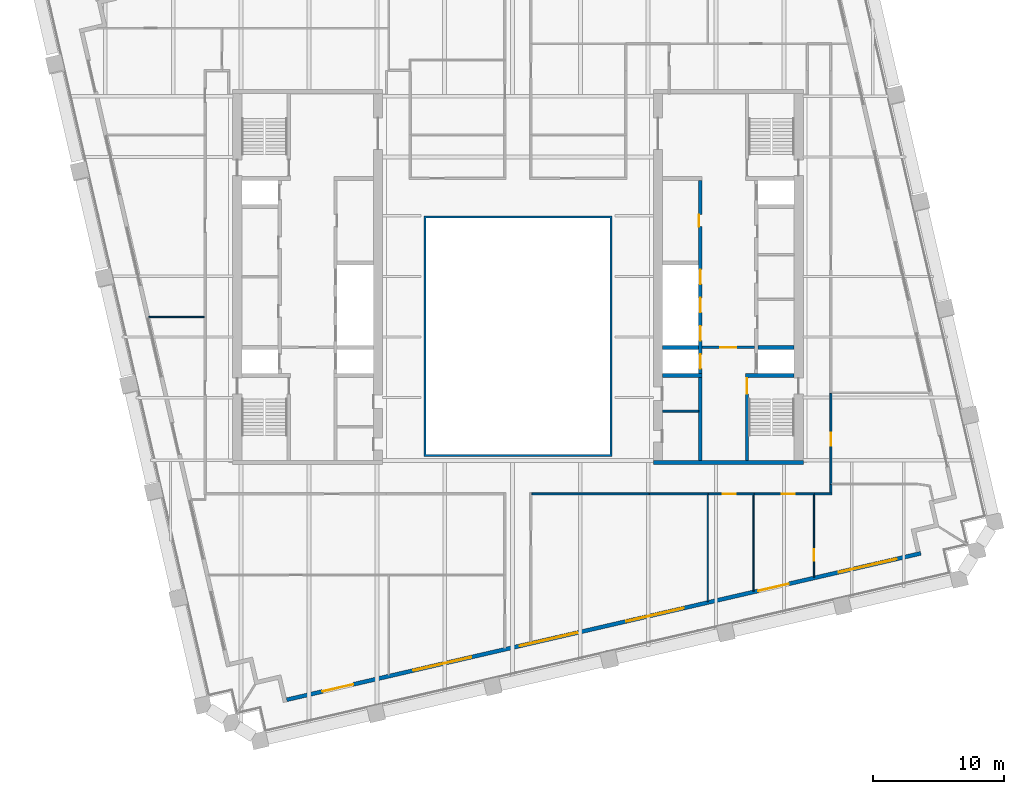
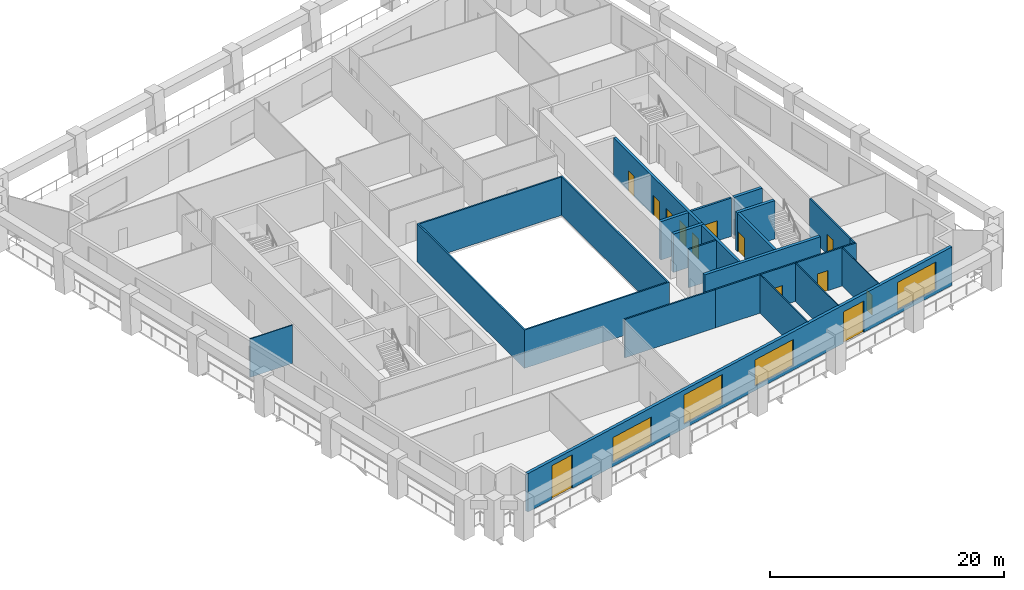
# One storey, part 5 of 11: 22 walls, 13 doors, 4 windows, 17 openings.
"""IFC4 building model written with IfcOpenShell, lengths in metres."""

from ifc_helpers import new_model, si_unit, direction, frame, frame_2d, origin, place, context, subcontext, project, spatial, polyline, rectangle, outline, extrude, material, layer, layer_set, type_object, element, fill, save


model = new_model("IFC4")

# Units and contexts
model_context = context("Model", 3, precision=1e-05, world=origin(), true_north=direction((0.0, 1.0)))
body_context = subcontext(model_context, "Body", "Model", "MODEL_VIEW")
ifc_project = project(units=[si_unit("LENGTHUNIT", "METRE"), si_unit("AREAUNIT", "SQUARE_METRE"), si_unit("VOLUMEUNIT", "CUBIC_METRE"), si_unit("PLANEANGLEUNIT", "RADIAN"), si_unit("MASSUNIT", "GRAM", prefix="KILO")], contexts=[model_context])

# Site, building, storey
site_placement = place(None, origin())
site = spatial("IfcSite", under=ifc_project, at=site_placement, CompositionType="ELEMENT")
building_placement = place(site_placement, origin())
building = spatial("IfcBuilding", under=site, at=building_placement, Name="Ogive Exchange Tower", CompositionType="ELEMENT")
storey_placement = place(building_placement, frame((0.0, 0.0, 209.39990234375)))
storey = spatial("IfcBuildingStorey", under=building, at=storey_placement, Name="L46", CompositionType="ELEMENT", Elevation=209.39990234375)

# Walls
ifc_material_1 = material(Name="Gypsum board partition")
ifc_layer_1 = layer(ifc_material_1, 0.14990234375)
ifc_layer_set_1 = layer_set([ifc_layer_1], Name="Core room partition 150 gypsum")
wall_type_1 = type_object("IfcWallType", Name="Core room partition 150 gypsum", PredefinedType="PARTITIONING", material=ifc_layer_set_1)
wall_1_placement = place(storey_placement, frame((11.0, 1.300048828125, 0.0), z_axis=(0.0, 0.0, 1.0), x_axis=(1.0, 0.0, 0.0)))
element("IfcWall", 1, at=wall_1_placement, inside=storey, type_object=wall_type_1, Name="E south room partition", PredefinedType="PARTITIONING", context=body_context, shape_type="SweptSolid", body=[
    extrude(rectangle(XDim=2.75, YDim=0.14990234375, at=frame_2d((1.375, 0.0))), origin(), (0.0, 0.0, 1.0), 4.0),
])
ifc_material_2 = material(Name="Fire partition EI 60 150")
ifc_layer_2 = layer(ifc_material_2, 0.14990234375)
ifc_layer_set_2 = layer_set([ifc_layer_2], Name="Fire partition EI 60 150")
wall_type_2 = type_object("IfcWallType", Name="Fire partition EI 60 150", PredefinedType="PARTITIONING", material=ifc_layer_set_2)
wall_2_placement = place(storey_placement, frame((10.0, -5.0, 0.0), z_axis=(0.0, 0.0, 1.0), x_axis=(-1.0, 0.0, 0.0)))
element("IfcWall", 2, at=wall_2_placement, inside=storey, type_object=wall_type_2, Name="L46-PWL-046", PredefinedType="PARTITIONING", context=body_context, shape_type="SweptSolid", body=[
    extrude(rectangle(XDim=8.93505859375, YDim=0.14990234375, at=frame_2d((4.467529296875, 0.0))), origin(), (0.0, 0.0, 1.0), 4.0),
])
wall_3_placement = place(storey_placement, frame((14.47998046875, -5.0, 0.0), z_axis=(0.0, 0.0, 1.0), x_axis=(-1.0, 0.0, 0.0)))
element("IfcWall", 3, at=wall_3_placement, inside=storey, type_object=wall_type_2, Name="L46-PWL-049", PredefinedType="PARTITIONING", context=body_context, shape_type="SweptSolid", body=[
    extrude(rectangle(XDim=4.47998046875, YDim=0.14990234375, at=frame_2d((2.239990234375, 0.0))), origin(), (0.0, 0.0, 1.0), 4.0),
])

# Wall, opening, door
wall_4_placement = place(storey_placement, frame((17.969970703125, -5.0, 0.0), z_axis=(0.0, 0.0, 1.0), x_axis=(-1.0, 0.0, 0.0)))
wall_4 = element("IfcWall", 4, at=wall_4_placement, inside=storey, type_object=wall_type_2, Name="L46-PWL-057", PredefinedType="PARTITIONING", context=body_context, shape_type="SweptSolid", body=[
    extrude(rectangle(XDim=3.489990234375, YDim=0.14990234375, at=frame_2d((1.7451171875, 0.0))), origin(), (0.0, 0.0, 1.0), 4.0),
])
opening_1_placement = place(wall_4_placement, frame((1.389892578125, 0.0, 0.0)))
opening_1 = element("IfcOpeningElement", 5, at=opening_1_placement, cuts=wall_4, Name="Opening L46-I14", PredefinedType="OPENING", context=body_context, shape_type="SweptSolid", body=[
    extrude(rectangle(XDim=1.0, YDim=2.10009765625, at=frame_2d((0.5, 1.050048828125))), frame((0.0, 0.0849609375, 0.0), z_axis=(0.0, -1.0, 0.0), x_axis=(1.0, 0.0, 0.0)), (0.0, 0.0, 1.0), 0.169921875),
])
ifc_material_3 = material(Name="Fire door FD 30S 1000 x 2100")
door_type_1 = type_object("IfcDoorType", Name="Fire door FD 30S 1000 x 2100", OperationType="NOTDEFINED", PredefinedType="DOOR", material=ifc_material_3)
door_1_placement = place(opening_1_placement, origin())
door_1 = element("IfcDoor", 6, at=door_1_placement, inside=storey, type_object=door_type_1, Name="L46-IDR-014", ObjectType="DT3", OperationType="SINGLE_SWING_LEFT", OverallHeight=2.10009765625, OverallWidth=1.0, PredefinedType="DOOR", context=body_context, shape_type="SweptSolid", body=[
    extrude(rectangle(XDim=1.0, YDim=2.10009765625, at=frame_2d((0.5, 1.050048828125))), frame((0.0, 0.02490234375, 0.0), z_axis=(0.0, -1.0, 0.0), x_axis=(1.0, 0.0, 0.0)), (0.0, 0.0, 1.0), 0.050048828125),
])
fill(opening_1, door_1)

wall_5_placement = place(storey_placement, frame((22.570068359375, -5.0, 0.0), z_axis=(0.0, 0.0, 1.0), x_axis=(-1.0, 0.0, 0.0)))
wall_5 = element("IfcWall", 7, at=wall_5_placement, inside=storey, type_object=wall_type_2, Name="L46-PWL-062", PredefinedType="PARTITIONING", context=body_context, shape_type="SweptSolid", body=[
    extrude(rectangle(XDim=4.650146484375, YDim=0.14990234375, at=frame_2d((2.3251953125, 0.0))), origin(), (0.0, 0.0, 1.0), 4.0),
])
opening_2_placement = place(wall_5_placement, frame((1.5, 0.0, 0.0)))
opening_2 = element("IfcOpeningElement", 8, at=opening_2_placement, cuts=wall_5, Name="Opening L46-I15", PredefinedType="OPENING", context=body_context, shape_type="SweptSolid", body=[
    extrude(rectangle(XDim=1.0, YDim=2.10009765625, at=frame_2d((0.5, 1.050048828125))), frame((0.0, 0.0849609375, 0.0), z_axis=(0.0, -1.0, 0.0), x_axis=(1.0, 0.0, 0.0)), (0.0, 0.0, 1.0), 0.169921875),
])
door_2_placement = place(opening_2_placement, origin())
door_2 = element("IfcDoor", 9, at=door_2_placement, inside=storey, type_object=door_type_1, Name="L46-IDR-015", ObjectType="DT3", OperationType="SINGLE_SWING_RIGHT", OverallHeight=2.10009765625, OverallWidth=1.0, PredefinedType="DOOR", context=body_context, shape_type="SweptSolid", body=[
    extrude(rectangle(XDim=1.0, YDim=2.10009765625, at=frame_2d((0.5, 1.050048828125))), frame((0.0, 0.02490234375, 0.0), z_axis=(0.0, -1.0, 0.0), x_axis=(1.0, 0.0, 0.0)), (0.0, 0.0, 1.0), 0.050048828125),
])
fill(opening_2, door_2)

# Walls
wall_6_placement = place(storey_placement, frame((23.875, -5.0, 0.0), z_axis=(0.0, 0.0, 1.0), x_axis=(-1.0, 0.0, 0.0)))
element("IfcWall", 10, at=wall_6_placement, inside=storey, type_object=wall_type_2, Name="L46-PWL-066", PredefinedType="PARTITIONING", context=body_context, shape_type="SweptSolid", body=[
    extrude(rectangle(XDim=1.304931640625, YDim=0.14990234375, at=frame_2d((0.65234375, 0.0))), origin(), (0.0, 0.0, 1.0), 4.0),
])
wall_7_placement = place(storey_placement, frame((23.800048828125, -4.2900390625, 0.0), z_axis=(0.0, 0.0, 1.0), x_axis=(0.0, -1.0, 0.0)))
element("IfcWall", 11, at=wall_7_placement, inside=storey, type_object=wall_type_2, Name="L46-PWL-067", PredefinedType="PARTITIONING", context=body_context, shape_type="SweptSolid", body=[
    extrude(rectangle(XDim=0.635009765625, YDim=0.14990234375, at=frame_2d((0.3173828125, 0.0))), origin(), (0.0, 0.0, 1.0), 4.0),
])

# Wall, opening, door
wall_8_placement = place(storey_placement, frame((23.800048828125, 2.639892578125, 0.0), z_axis=(0.0, 0.0, 1.0), x_axis=(0.0, -1.0, 0.0)))
wall_8 = element("IfcWall", 12, at=wall_8_placement, inside=storey, type_object=wall_type_2, Name="L46-PWL-068", PredefinedType="PARTITIONING", context=body_context, shape_type="SweptSolid", body=[
    extrude(rectangle(XDim=6.929931640625, YDim=0.14990234375, at=frame_2d((3.46484375, 0.0))), origin(), (0.0, 0.0, 1.0), 4.0),
])
opening_3_placement = place(wall_8_placement, frame((2.97998046875, 0.0, 0.0)))
opening_3 = element("IfcOpeningElement", 13, at=opening_3_placement, cuts=wall_8, Name="Opening L46-I17", PredefinedType="OPENING", context=body_context, shape_type="SweptSolid", body=[
    extrude(rectangle(XDim=1.0, YDim=2.10009765625, at=frame_2d((0.5, 1.050048828125))), frame((0.0, 0.0849609375, 0.0), z_axis=(0.0, -1.0, 0.0), x_axis=(1.0, 0.0, 0.0)), (0.0, 0.0, 1.0), 0.169921875),
])
door_3_placement = place(opening_3_placement, origin())
door_3 = element("IfcDoor", 14, at=door_3_placement, inside=storey, type_object=door_type_1, Name="L46-IDR-017", ObjectType="DT3", OperationType="SINGLE_SWING_LEFT", OverallHeight=2.10009765625, OverallWidth=1.0, PredefinedType="DOOR", context=body_context, shape_type="SweptSolid", body=[
    extrude(rectangle(XDim=1.0, YDim=2.10009765625, at=frame_2d((0.5, 1.050048828125))), frame((0.0, 0.02490234375, 0.0), z_axis=(0.0, -1.0, 0.0), x_axis=(1.0, 0.0, 0.0)), (0.0, 0.0, 1.0), 0.050048828125),
])
fill(opening_3, door_3)

# Wall
ifc_material_4 = material(Name="Fire-resisting glass in steel frame", Category="steel")
ifc_layer_3 = layer(ifc_material_4, 0.14990234375)
ifc_layer_set_3 = layer_set([ifc_layer_3], Name="Fire-rated glazed wall 150")
wall_type_3 = type_object("IfcWallType", Name="Fire-rated glazed wall 150", PredefinedType="STANDARD", material=ifc_layer_set_3)
wall_9_placement = place(storey_placement, origin())
element("IfcWall", 15, at=wall_9_placement, inside=storey, type_object=wall_type_3, Name="Nave enclosure wall", PredefinedType="STANDARD", context=body_context, shape_type="SweptSolid", body=[
    extrude(outline(polyline([(-7.14990234375, -2.14990234375), (7.14990234375, -2.14990234375), (7.14990234375, 16.14990234375), (-7.14990234375, 16.14990234375), (-7.14990234375, -2.14990234375)]), holes=[polyline([(-7.0, -2.0), (-7.0, 16.0), (7.0, 16.0), (7.0, -2.0), (-7.0, -2.0)])]), origin(), (0.0, 0.0, 1.0), 4.0),
])

# Wall, openings, doors, windows
ifc_material_5 = material(Name="Precast concrete C40/50", Category="concrete")
ifc_layer_4 = layer(ifc_material_5, 0.300048828125)
ifc_layer_set_4 = layer_set([ifc_layer_4], Name="Limestone-faced wall 300")
wall_type_4 = type_object("IfcWallType", Name="Limestone-faced wall 300", PredefinedType="STANDARD", material=ifc_layer_set_4)
wall_10_placement = place(storey_placement, frame((-17.592041015625, -20.6572265625, 0.0), z_axis=(0.0, 0.0, 1.0), x_axis=(0.974370243697, 0.224950279389, 0.0)))
wall_10 = element("IfcWall", 16, at=wall_10_placement, inside=storey, type_object=wall_type_4, Name="External wall S1", PredefinedType="STANDARD", context=body_context, shape_type="SweptSolid", body=[
    extrude(rectangle(XDim=49.499755859375, YDim=0.300048828125, at=frame_2d((24.75, 0.0))), origin(), (0.0, 0.0, 1.0), 4.0),
])
opening_4_placement = place(wall_10_placement, frame((2.800048828125, 0.0, 0.0)))
opening_4 = element("IfcOpeningElement", 17, at=opening_4_placement, cuts=wall_10, Name="Opening D1", PredefinedType="OPENING", context=body_context, shape_type="SweptSolid", body=[
    extrude(rectangle(XDim=2.39990234375, YDim=3.5, at=frame_2d((1.199951171875, 1.75))), frame((0.0, 0.159912109375, 0.0), z_axis=(0.0, -1.0, 0.0), x_axis=(1.0, 0.0, 0.0)), (0.0, 0.0, 1.0), 0.320068359375),
])
opening_5_placement = place(wall_10_placement, frame((9.89990234375, 0.0, 0.449951171875)))
opening_5 = element("IfcOpeningElement", 18, at=opening_5_placement, cuts=wall_10, Name="Opening W1M", PredefinedType="OPENING", context=body_context, shape_type="SweptSolid", body=[
    extrude(rectangle(XDim=4.5, YDim=2.574951171875, at=frame_2d((2.25, 1.28759765625))), frame((0.0, 0.159912109375, 0.0), z_axis=(0.0, -1.0, 0.0), x_axis=(1.0, 0.0, 0.0)), (0.0, 0.0, 1.0), 0.320068359375),
])
opening_6_placement = place(wall_10_placement, frame((18.199951171875, 0.0, 0.449951171875)))
opening_6 = element("IfcOpeningElement", 19, at=opening_6_placement, cuts=wall_10, Name="Opening W1", PredefinedType="OPENING", context=body_context, shape_type="SweptSolid", body=[
    extrude(rectangle(XDim=4.5, YDim=3.050048828125, at=frame_2d((2.25, 1.52490234375))), frame((0.0, 0.159912109375, 0.0), z_axis=(0.0, -1.0, 0.0), x_axis=(1.0, 0.0, 0.0)), (0.0, 0.0, 1.0), 0.320068359375),
])
opening_7_placement = place(wall_10_placement, frame((26.5, 0.0, 0.449951171875)))
opening_7 = element("IfcOpeningElement", 20, at=opening_7_placement, cuts=wall_10, Name="Opening W1H", PredefinedType="OPENING", context=body_context, shape_type="SweptSolid", body=[
    extrude(rectangle(XDim=4.5, YDim=2.75, at=frame_2d((2.25, 1.375))), frame((0.0, 0.159912109375, 0.0), z_axis=(0.0, -1.0, 0.0), x_axis=(1.0, 0.0, 0.0)), (0.0, 0.0, 1.0), 0.320068359375),
])
opening_8_placement = place(wall_10_placement, frame((36.800048828125, 0.0, 0.0)))
opening_8 = element("IfcOpeningElement", 21, at=opening_8_placement, cuts=wall_10, Name="Opening D1E", PredefinedType="OPENING", context=body_context, shape_type="SweptSolid", body=[
    extrude(rectangle(XDim=2.39990234375, YDim=3.27490234375, at=frame_2d((1.199951171875, 1.637451171875))), frame((0.0, 0.159912109375, 0.0), z_axis=(0.0, -1.0, 0.0), x_axis=(1.0, 0.0, 0.0)), (0.0, 0.0, 1.0), 0.320068359375),
])
opening_9_placement = place(wall_10_placement, frame((43.10009765625, 0.0, 0.449951171875)))
opening_9 = element("IfcOpeningElement", 22, at=opening_9_placement, cuts=wall_10, Name="Opening W1D", PredefinedType="OPENING", context=body_context, shape_type="SweptSolid", body=[
    extrude(rectangle(XDim=4.5, YDim=2.875, at=frame_2d((2.25, 1.4375))), frame((0.0, 0.159912109375, 0.0), z_axis=(0.0, -1.0, 0.0), x_axis=(1.0, 0.0, 0.0)), (0.0, 0.0, 1.0), 0.320068359375),
])
ifc_material_6 = material(Name="Clear glass in bronze frame", Category="glass")
door_type_2 = type_object("IfcDoorType", Name="Sliding loggia door 2400 x 3275", OperationType="DOUBLE_DOOR_SLIDING", PredefinedType="DOOR", material=ifc_material_6)
door_4_placement = place(opening_8_placement, origin())
door_4 = element("IfcDoor", 23, at=door_4_placement, inside=storey, type_object=door_type_2, Name="Loggia door S04", OperationType="DOUBLE_DOOR_SLIDING", OverallHeight=3.27490234375, OverallWidth=2.39990234375, PredefinedType="DOOR", context=body_context, shape_type="SweptSolid", body=[
    extrude(rectangle(XDim=2.39990234375, YDim=3.27490234375, at=frame_2d((1.199951171875, 1.637451171875))), frame((0.0, 0.02490234375, 0.0), z_axis=(0.0, -1.0, 0.0), x_axis=(1.0, 0.0, 0.0)), (0.0, 0.0, 1.0), 0.050048828125),
])
fill(opening_8, door_4)
door_type_3 = type_object("IfcDoorType", Name="Sliding loggia door 2400 x 3500", OperationType="DOUBLE_DOOR_SLIDING", PredefinedType="DOOR", material=ifc_material_6)
door_5_placement = place(opening_4_placement, origin())
door_5 = element("IfcDoor", 24, at=door_5_placement, inside=storey, type_object=door_type_3, Name="Loggia door S00", OperationType="DOUBLE_DOOR_SLIDING", OverallHeight=3.5, OverallWidth=2.39990234375, PredefinedType="DOOR", context=body_context, shape_type="SweptSolid", body=[
    extrude(rectangle(XDim=2.39990234375, YDim=3.5, at=frame_2d((1.199951171875, 1.75))), frame((0.0, 0.02490234375, 0.0), z_axis=(0.0, -1.0, 0.0), x_axis=(1.0, 0.0, 0.0)), (0.0, 0.0, 1.0), 0.050048828125),
])
fill(opening_4, door_5)
window_type_1 = type_object("IfcWindowType", Name="Twin lancet window 4500 x 2575", PartitioningType="DOUBLE_PANEL_VERTICAL", PredefinedType="WINDOW", material=ifc_material_6)
window_1_placement = place(opening_5_placement, origin())
window_1 = element("IfcWindow", 25, at=window_1_placement, inside=storey, type_object=window_type_1, Name="Window S01", OverallHeight=2.574951171875, OverallWidth=4.5, PartitioningType="DOUBLE_PANEL_VERTICAL", PredefinedType="WINDOW", context=body_context, shape_type="SweptSolid", body=[
    extrude(rectangle(XDim=4.5, YDim=2.574951171875, at=frame_2d((2.25, 1.28759765625))), frame((0.0, 0.030029296875, 0.0), z_axis=(0.0, -1.0, 0.0), x_axis=(1.0, 0.0, 0.0)), (0.0, 0.0, 1.0), 0.06005859375),
])
fill(opening_5, window_1)
window_type_2 = type_object("IfcWindowType", Name="Twin lancet window 4500 x 2750", PartitioningType="DOUBLE_PANEL_VERTICAL", PredefinedType="WINDOW", material=ifc_material_6)
window_2_placement = place(opening_7_placement, origin())
window_2 = element("IfcWindow", 26, at=window_2_placement, inside=storey, type_object=window_type_2, Name="Window S03", OverallHeight=2.75, OverallWidth=4.5, PartitioningType="DOUBLE_PANEL_VERTICAL", PredefinedType="WINDOW", context=body_context, shape_type="SweptSolid", body=[
    extrude(rectangle(XDim=4.5, YDim=2.75, at=frame_2d((2.25, 1.375))), frame((0.0, 0.030029296875, 0.0), z_axis=(0.0, -1.0, 0.0), x_axis=(1.0, 0.0, 0.0)), (0.0, 0.0, 1.0), 0.06005859375),
])
fill(opening_7, window_2)
window_type_3 = type_object("IfcWindowType", Name="Twin lancet window 4500 x 2875", PartitioningType="DOUBLE_PANEL_VERTICAL", PredefinedType="WINDOW", material=ifc_material_6)
window_3_placement = place(opening_9_placement, origin())
window_3 = element("IfcWindow", 27, at=window_3_placement, inside=storey, type_object=window_type_3, Name="Window S05", OverallHeight=2.875, OverallWidth=4.5, PartitioningType="DOUBLE_PANEL_VERTICAL", PredefinedType="WINDOW", context=body_context, shape_type="SweptSolid", body=[
    extrude(rectangle(XDim=4.5, YDim=2.875, at=frame_2d((2.25, 1.4375))), frame((0.0, 0.030029296875, 0.0), z_axis=(0.0, -1.0, 0.0), x_axis=(1.0, 0.0, 0.0)), (0.0, 0.0, 1.0), 0.06005859375),
])
fill(opening_9, window_3)
window_type_4 = type_object("IfcWindowType", Name="Twin lancet window 4500 x 3050", PartitioningType="DOUBLE_PANEL_VERTICAL", PredefinedType="WINDOW", material=ifc_material_6)
window_4_placement = place(opening_6_placement, origin())
window_4 = element("IfcWindow", 28, at=window_4_placement, inside=storey, type_object=window_type_4, Name="Window S02", OverallHeight=3.050048828125, OverallWidth=4.5, PartitioningType="DOUBLE_PANEL_VERTICAL", PredefinedType="WINDOW", context=body_context, shape_type="SweptSolid", body=[
    extrude(rectangle(XDim=4.5, YDim=3.050048828125, at=frame_2d((2.25, 1.52490234375))), frame((0.0, 0.030029296875, 0.0), z_axis=(0.0, -1.0, 0.0), x_axis=(1.0, 0.0, 0.0)), (0.0, 0.0, 1.0), 0.06005859375),
])
fill(opening_6, window_4)

# Walls
ifc_material_7 = material(Name="Partition 100 gypsum")
ifc_layer_5 = layer(ifc_material_7, 0.10009765625)
ifc_layer_set_5 = layer_set([ifc_layer_5], Name="Partition 100 gypsum")
wall_type_5 = type_object("IfcWallType", Name="Partition 100 gypsum", PredefinedType="PARTITIONING", material=ifc_layer_set_5)
wall_11_placement = place(storey_placement, frame((-23.875, 8.449951171875, 0.0), z_axis=(0.0, 0.0, 1.0), x_axis=(-1.0, 0.0, 0.0)))
element("IfcWall", 29, at=wall_11_placement, inside=storey, type_object=wall_type_5, Name="L46-PWL-003", PredefinedType="PARTITIONING", context=body_context, shape_type="SweptSolid", body=[
    extrude(rectangle(XDim=4.214111328125, YDim=0.10009765625, at=frame_2d((2.10693359375, 0.0))), origin(), (0.0, 0.0, 1.0), 4.0),
])
wall_12_placement = place(storey_placement, frame((14.429931640625, -5.074951171875, 0.0), z_axis=(0.0, 0.0, 1.0), x_axis=(0.0, -1.0, 0.0)))
element("IfcWall", 30, at=wall_12_placement, inside=storey, type_object=wall_type_5, Name="L46-PWL-050", PredefinedType="PARTITIONING", context=body_context, shape_type="SweptSolid", body=[
    extrude(rectangle(XDim=8.1181640625, YDim=0.10009765625, at=frame_2d((4.05908203125, 0.0))), origin(), (0.0, 0.0, 1.0), 4.0),
])
wall_13_placement = place(storey_placement, frame((17.919921875, -5.074951171875, 0.0), z_axis=(0.0, 0.0, 1.0), x_axis=(0.0, -1.0, 0.0)))
element("IfcWall", 31, at=wall_13_placement, inside=storey, type_object=wall_type_5, Name="L46-PWL-058", PredefinedType="PARTITIONING", context=body_context, shape_type="SweptSolid", body=[
    extrude(rectangle(XDim=7.31201171875, YDim=0.10009765625, at=frame_2d((3.656005859375, 0.0))), origin(), (0.0, 0.0, 1.0), 4.0),
])

# Wall, opening, door
wall_14_placement = place(storey_placement, frame((22.52001953125, -5.074951171875, 0.0), z_axis=(0.0, 0.0, 1.0), x_axis=(0.0, -1.0, 0.0)))
wall_14 = element("IfcWall", 32, at=wall_14_placement, inside=storey, type_object=wall_type_5, Name="L46-PWL-063", PredefinedType="PARTITIONING", context=body_context, shape_type="SweptSolid", body=[
    extrude(rectangle(XDim=6.25, YDim=0.10009765625, at=frame_2d((3.125, 0.0))), origin(), (0.0, 0.0, 1.0), 4.0),
])
opening_10_placement = place(wall_14_placement, frame((4.125, 0.0, 0.0)))
opening_10 = element("IfcOpeningElement", 33, at=opening_10_placement, cuts=wall_14, Name="Opening L46-I18", PredefinedType="OPENING", context=body_context, shape_type="SweptSolid", body=[
    extrude(rectangle(XDim=0.89990234375, YDim=2.10009765625, at=frame_2d((0.449951171875, 1.050048828125))), frame((0.0, 0.06005859375, 0.0), z_axis=(0.0, -1.0, 0.0), x_axis=(1.0, 0.0, 0.0)), (0.0, 0.0, 1.0), 0.1201171875),
])
ifc_material_8 = material(Name="Door 900 x 2100")
door_type_4 = type_object("IfcDoorType", Name="Door 900 x 2100", OperationType="NOTDEFINED", PredefinedType="DOOR", material=ifc_material_8)
door_6_placement = place(opening_10_placement, frame((0.89990234375, 0.0, 0.0), z_axis=(0.0, 0.0, 1.0), x_axis=(-1.0, 0.0, 0.0)))
door_6 = element("IfcDoor", 34, at=door_6_placement, inside=storey, type_object=door_type_4, Name="L46-IDR-018", ObjectType="DT1", OperationType="SINGLE_SWING_RIGHT", OverallHeight=2.10009765625, OverallWidth=0.89990234375, PredefinedType="DOOR", context=body_context, shape_type="SweptSolid", body=[
    extrude(rectangle(XDim=0.89990234375, YDim=2.10009765625, at=frame_2d((0.449951171875, 1.050048828125))), frame((0.0, 0.02490234375, 0.0), z_axis=(0.0, -1.0, 0.0), x_axis=(1.0, 0.0, 0.0)), (0.0, 0.0, 1.0), 0.050048828125),
])
fill(opening_10, door_6)

ifc_material_9 = material(Name="Concrete C70/85", Category="concrete")
ifc_layer_6 = layer(ifc_material_9, 0.199951171875)
ifc_layer_set_6 = layer_set([ifc_layer_6], Name="RC core wall 200 C70/85")
wall_type_6 = type_object("IfcWallType", Name="RC core wall 200 C70/85", PredefinedType="SHEAR", material=ifc_layer_set_6)
wall_15_placement = place(storey_placement, frame((14.0, 6.142822265625, 0.0), z_axis=(0.0, 0.0, 1.0), x_axis=(1.0, 0.0, 0.0)))
wall_15 = element("IfcWall", 35, at=wall_15_placement, inside=storey, type_object=wall_type_6, Name="E firefighting lobby wall", PredefinedType="SHEAR", context=body_context, shape_type="SweptSolid", body=[
    extrude(rectangle(XDim=4.0, YDim=0.199951171875, at=frame_2d((2.0, 0.0))), origin(), (0.0, 0.0, 1.0), 4.0),
])
opening_11_placement = place(wall_15_placement, frame((1.39990234375, 0.0, 0.0)))
opening_11 = element("IfcOpeningElement", 36, at=opening_11_placement, cuts=wall_15, Name="Opening L46-C28", PredefinedType="OPENING", context=body_context, shape_type="SweptSolid", body=[
    extrude(rectangle(XDim=1.199951171875, YDim=2.10009765625, at=frame_2d((0.60009765625, 1.050048828125))), frame((0.0, 0.10986328125, 0.0), z_axis=(0.0, -1.0, 0.0), x_axis=(1.0, 0.0, 0.0)), (0.0, 0.0, 1.0), 0.219970703125),
])
ifc_material_10 = material(Name="Steel fire door", Category="steel")
door_type_5 = type_object("IfcDoorType", Name="Firefighting lobby door FD60 1200 x 2100", OperationType="NOTDEFINED", PredefinedType="DOOR", material=ifc_material_10)
door_7_placement = place(opening_11_placement, frame((1.199951171875, 0.0, 0.0), z_axis=(0.0, 0.0, 1.0), x_axis=(-1.0, 0.0, 0.0)))
door_7 = element("IfcDoor", 37, at=door_7_placement, inside=storey, type_object=door_type_5, Name="Firefighting lobby door", ObjectType="CD3", OperationType="SINGLE_SWING_RIGHT", OverallHeight=2.10009765625, OverallWidth=1.199951171875, PredefinedType="DOOR", context=body_context, shape_type="SweptSolid", body=[
    extrude(rectangle(XDim=1.199951171875, YDim=2.10009765625, at=frame_2d((0.60009765625, 1.050048828125))), frame((0.0, 0.02490234375, 0.0), z_axis=(0.0, -1.0, 0.0), x_axis=(1.0, 0.0, 0.0)), (0.0, 0.0, 1.0), 0.050048828125),
])
fill(opening_11, door_7)

ifc_layer_7 = layer(ifc_material_9, 0.25)
ifc_layer_set_7 = layer_set([ifc_layer_7], Name="RC core wall 250 C70/85")
wall_type_7 = type_object("IfcWallType", Name="RC core wall 250 C70/85", PredefinedType="SHEAR", material=ifc_layer_set_7)
wall_16_placement = place(storey_placement, frame((17.425048828125, -2.449951171875, 0.0), z_axis=(0.0, 0.0, 1.0), x_axis=(0.0, 1.0, 0.0)))
wall_16 = element("IfcWall", 38, at=wall_16_placement, inside=storey, type_object=wall_type_7, Name="E stair S front wall", PredefinedType="SHEAR", context=body_context, shape_type="SweptSolid", body=[
    extrude(rectangle(XDim=6.300048828125, YDim=0.25, at=frame_2d((3.14990234375, 0.0))), origin(), (0.0, 0.0, 1.0), 4.0),
])
opening_12_placement = place(wall_16_placement, frame((5.050048828125, 0.0, 0.0)))
opening_12 = element("IfcOpeningElement", 39, at=opening_12_placement, cuts=wall_16, Name="Opening L46-C30", PredefinedType="OPENING", context=body_context, shape_type="SweptSolid", body=[
    extrude(rectangle(XDim=1.199951171875, YDim=2.10009765625, at=frame_2d((0.60009765625, 1.050048828125))), frame((0.0, 0.135009765625, 0.0), z_axis=(0.0, -1.0, 0.0), x_axis=(1.0, 0.0, 0.0)), (0.0, 0.0, 1.0), 0.27001953125),
])
door_type_6 = type_object("IfcDoorType", Name="Stair door FD90 1200 x 2100", OperationType="NOTDEFINED", PredefinedType="DOOR", material=ifc_material_10)
door_8_placement = place(opening_12_placement, frame((1.199951171875, 0.0, 0.0), z_axis=(0.0, 0.0, 1.0), x_axis=(-1.0, 0.0, 0.0)))
door_8 = element("IfcDoor", 40, at=door_8_placement, inside=storey, type_object=door_type_6, Name="Stair door", ObjectType="CD5", OperationType="SINGLE_SWING_RIGHT", OverallHeight=2.10009765625, OverallWidth=1.199951171875, PredefinedType="DOOR", context=body_context, shape_type="SweptSolid", body=[
    extrude(rectangle(XDim=1.199951171875, YDim=2.10009765625, at=frame_2d((0.60009765625, 1.050048828125))), frame((0.0, 0.02490234375, 0.0), z_axis=(0.0, -1.0, 0.0), x_axis=(1.0, 0.0, 0.0)), (0.0, 0.0, 1.0), 0.050048828125),
])
fill(opening_12, door_8)

# Wall, openings, doors
wall_17_placement = place(storey_placement, frame((13.875, -2.449951171875, 0.0), z_axis=(0.0, 0.0, 1.0), x_axis=(0.0, 1.0, 0.0)))
wall_17 = element("IfcWall", 41, at=wall_17_placement, inside=storey, type_object=wall_type_7, Name="E row B front wall", PredefinedType="SHEAR", context=body_context, shape_type="SweptSolid", body=[
    extrude(rectangle(XDim=21.300048828125, YDim=0.25, at=frame_2d((10.64990234375, 0.0))), origin(), (0.0, 0.0, 1.0), 4.0),
])
opening_13_placement = place(wall_17_placement, frame((17.78564453125, 0.0, 0.0)))
opening_13 = element("IfcOpeningElement", 42, at=opening_13_placement, cuts=wall_17, Name="Opening L46-C23", PredefinedType="OPENING", context=body_context, shape_type="SweptSolid", body=[
    extrude(rectangle(XDim=0.89990234375, YDim=2.10009765625, at=frame_2d((0.449951171875, 1.050048828125))), frame((0.0, 0.135009765625, 0.0), z_axis=(0.0, -1.0, 0.0), x_axis=(1.0, 0.0, 0.0)), (0.0, 0.0, 1.0), 0.27001953125),
])
opening_14_placement = place(wall_17_placement, frame((6.971435546875, 0.0, 0.0)))
opening_14 = element("IfcOpeningElement", 43, at=opening_14_placement, cuts=wall_17, Name="Opening L46-C24", PredefinedType="OPENING", context=body_context, shape_type="SweptSolid", body=[
    extrude(rectangle(XDim=1.10009765625, YDim=2.10009765625, at=frame_2d((0.550048828125, 1.050048828125))), frame((0.0, 0.135009765625, 0.0), z_axis=(0.0, -1.0, 0.0), x_axis=(1.0, 0.0, 0.0)), (0.0, 0.0, 1.0), 0.27001953125),
])
opening_15_placement = place(wall_17_placement, frame((9.1142578125, 0.0, 0.0)))
opening_15 = element("IfcOpeningElement", 44, at=opening_15_placement, cuts=wall_17, Name="Opening L46-C25", PredefinedType="OPENING", context=body_context, shape_type="SweptSolid", body=[
    extrude(rectangle(XDim=1.10009765625, YDim=2.10009765625, at=frame_2d((0.550048828125, 1.050048828125))), frame((0.0, 0.135009765625, 0.0), z_axis=(0.0, -1.0, 0.0), x_axis=(1.0, 0.0, 0.0)), (0.0, 0.0, 1.0), 0.27001953125),
])
opening_16_placement = place(wall_17_placement, frame((11.257080078125, 0.0, 0.0)))
opening_16 = element("IfcOpeningElement", 45, at=opening_16_placement, cuts=wall_17, Name="Opening L46-C26", PredefinedType="OPENING", context=body_context, shape_type="SweptSolid", body=[
    extrude(rectangle(XDim=1.10009765625, YDim=2.10009765625, at=frame_2d((0.550048828125, 1.050048828125))), frame((0.0, 0.135009765625, 0.0), z_axis=(0.0, -1.0, 0.0), x_axis=(1.0, 0.0, 0.0)), (0.0, 0.0, 1.0), 0.27001953125),
])
opening_17_placement = place(wall_17_placement, frame((13.39990234375, 0.0, 0.0)))
opening_17 = element("IfcOpeningElement", 46, at=opening_17_placement, cuts=wall_17, Name="Opening L46-C27", PredefinedType="OPENING", context=body_context, shape_type="SweptSolid", body=[
    extrude(rectangle(XDim=1.10009765625, YDim=2.10009765625, at=frame_2d((0.550048828125, 1.050048828125))), frame((0.0, 0.135009765625, 0.0), z_axis=(0.0, -1.0, 0.0), x_axis=(1.0, 0.0, 0.0)), (0.0, 0.0, 1.0), 0.27001953125),
])
ifc_material_11 = material(Name="Stainless steel", Category="steel")
door_type_7 = type_object("IfcDoorType", Name="Lift landing door FD90 1100 x 2100", OperationType="SLIDING_TO_LEFT", PredefinedType="DOOR", material=ifc_material_11)
door_9_placement = place(opening_14_placement, origin())
door_9 = element("IfcDoor", 47, at=door_9_placement, inside=storey, type_object=door_type_7, Name="Lift landing door SV2", ObjectType="LD", OperationType="SLIDING_TO_LEFT", OverallHeight=2.10009765625, OverallWidth=1.10009765625, PredefinedType="DOOR", context=body_context, shape_type="SweptSolid", body=[
    extrude(rectangle(XDim=1.10009765625, YDim=2.10009765625, at=frame_2d((0.550048828125, 1.050048828125))), frame((0.0, 0.02490234375, 0.0), z_axis=(0.0, -1.0, 0.0), x_axis=(1.0, 0.0, 0.0)), (0.0, 0.0, 1.0), 0.050048828125),
])
fill(opening_14, door_9)
door_10_placement = place(opening_15_placement, origin())
door_10 = element("IfcDoor", 48, at=door_10_placement, inside=storey, type_object=door_type_7, Name="Lift landing door E-M1", ObjectType="LD", OperationType="SLIDING_TO_LEFT", OverallHeight=2.10009765625, OverallWidth=1.10009765625, PredefinedType="DOOR", context=body_context, shape_type="SweptSolid", body=[
    extrude(rectangle(XDim=1.10009765625, YDim=2.10009765625, at=frame_2d((0.550048828125, 1.050048828125))), frame((0.0, 0.02490234375, 0.0), z_axis=(0.0, -1.0, 0.0), x_axis=(1.0, 0.0, 0.0)), (0.0, 0.0, 1.0), 0.050048828125),
])
fill(opening_15, door_10)
door_11_placement = place(opening_16_placement, origin())
door_11 = element("IfcDoor", 49, at=door_11_placement, inside=storey, type_object=door_type_7, Name="Lift landing door E-M2", ObjectType="LD", OperationType="SLIDING_TO_LEFT", OverallHeight=2.10009765625, OverallWidth=1.10009765625, PredefinedType="DOOR", context=body_context, shape_type="SweptSolid", body=[
    extrude(rectangle(XDim=1.10009765625, YDim=2.10009765625, at=frame_2d((0.550048828125, 1.050048828125))), frame((0.0, 0.02490234375, 0.0), z_axis=(0.0, -1.0, 0.0), x_axis=(1.0, 0.0, 0.0)), (0.0, 0.0, 1.0), 0.050048828125),
])
fill(opening_16, door_11)
door_12_placement = place(opening_17_placement, origin())
door_12 = element("IfcDoor", 50, at=door_12_placement, inside=storey, type_object=door_type_7, Name="Lift landing door E-M3", ObjectType="LD", OperationType="SLIDING_TO_LEFT", OverallHeight=2.10009765625, OverallWidth=1.10009765625, PredefinedType="DOOR", context=body_context, shape_type="SweptSolid", body=[
    extrude(rectangle(XDim=1.10009765625, YDim=2.10009765625, at=frame_2d((0.550048828125, 1.050048828125))), frame((0.0, 0.02490234375, 0.0), z_axis=(0.0, -1.0, 0.0), x_axis=(1.0, 0.0, 0.0)), (0.0, 0.0, 1.0), 0.050048828125),
])
fill(opening_17, door_12)
door_type_8 = type_object("IfcDoorType", Name="Riser door FD60 900 x 2100", OperationType="NOTDEFINED", PredefinedType="DOOR", material=ifc_material_10)
door_13_placement = place(opening_13_placement, origin())
door_13 = element("IfcDoor", 51, at=door_13_placement, inside=storey, type_object=door_type_8, Name="Riser door", ObjectType="CD2", OperationType="SINGLE_SWING_LEFT", OverallHeight=2.10009765625, OverallWidth=0.89990234375, PredefinedType="DOOR", context=body_context, shape_type="SweptSolid", body=[
    extrude(rectangle(XDim=0.89990234375, YDim=2.10009765625, at=frame_2d((0.449951171875, 1.050048828125))), frame((0.0, 0.125, 0.0), z_axis=(0.0, -1.0, 0.0), x_axis=(1.0, 0.0, 0.0)), (0.0, 0.0, 1.0), 0.050048828125),
])
fill(opening_13, door_13)

# Walls
ifc_layer_8 = layer(ifc_material_9, 0.300048828125)
ifc_layer_set_8 = layer_set([ifc_layer_8], Name="RC core wall 300 C70/85")
wall_type_8 = type_object("IfcWallType", Name="RC core wall 300 C70/85", PredefinedType="SHEAR", material=ifc_layer_set_8)
wall_18_placement = place(storey_placement, frame((10.300048828125, -2.60009765625, 0.0), z_axis=(0.0, 0.0, 1.0), x_axis=(1.0, 0.0, 0.0)))
element("IfcWall", 52, at=wall_18_placement, inside=storey, type_object=wall_type_8, Name="E south end wall", PredefinedType="SHEAR", context=body_context, shape_type="SweptSolid", body=[
    extrude(rectangle(XDim=11.39990234375, YDim=0.300048828125, at=frame_2d((5.699951171875, 0.0))), origin(), (0.0, 0.0, 1.0), 4.0),
])
wall_19_placement = place(storey_placement, frame((17.300048828125, 4.0, 0.0), z_axis=(0.0, 0.0, 1.0), x_axis=(1.0, 0.0, 0.0)))
element("IfcWall", 53, at=wall_19_placement, inside=storey, type_object=wall_type_8, Name="E stair S north wall", PredefinedType="SHEAR", context=body_context, shape_type="SweptSolid", body=[
    extrude(rectangle(XDim=3.699951171875, YDim=0.300048828125, at=frame_2d((1.85009765625, 0.0))), origin(), (0.0, 0.0, 1.0), 4.0),
])
wall_20_placement = place(storey_placement, frame((18.25, 6.142822265625, 0.0), z_axis=(0.0, 0.0, 1.0), x_axis=(1.0, 0.0, 0.0)))
element("IfcWall", 54, at=wall_20_placement, inside=storey, type_object=wall_type_8, Name="E row A divider 1", PredefinedType="SHEAR", context=body_context, shape_type="SweptSolid", body=[
    extrude(rectangle(XDim=2.75, YDim=0.300048828125, at=frame_2d((1.375, 0.0))), origin(), (0.0, 0.0, 1.0), 4.0),
])
wall_21_placement = place(storey_placement, frame((11.0, 4.0, 0.0), z_axis=(0.0, 0.0, 1.0), x_axis=(1.0, 0.0, 0.0)))
element("IfcWall", 55, at=wall_21_placement, inside=storey, type_object=wall_type_8, Name="E row B divider 0", PredefinedType="SHEAR", context=body_context, shape_type="SweptSolid", body=[
    extrude(rectangle(XDim=3.0, YDim=0.300048828125, at=frame_2d((1.5, 0.0))), origin(), (0.0, 0.0, 1.0), 4.0),
])
wall_22_placement = place(storey_placement, frame((11.0, 6.142822265625, 0.0), z_axis=(0.0, 0.0, 1.0), x_axis=(1.0, 0.0, 0.0)))
element("IfcWall", 56, at=wall_22_placement, inside=storey, type_object=wall_type_8, Name="E row B divider 1", PredefinedType="SHEAR", context=body_context, shape_type="SweptSolid", body=[
    extrude(rectangle(XDim=2.75, YDim=0.300048828125, at=frame_2d((1.375, 0.0))), origin(), (0.0, 0.0, 1.0), 4.0),
])

save(model, "model.ifc")
